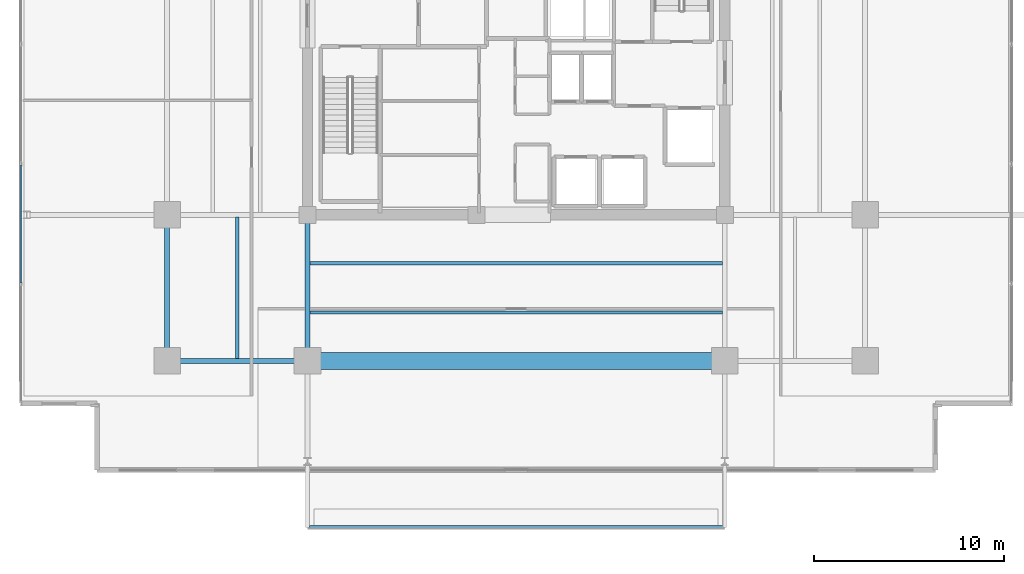
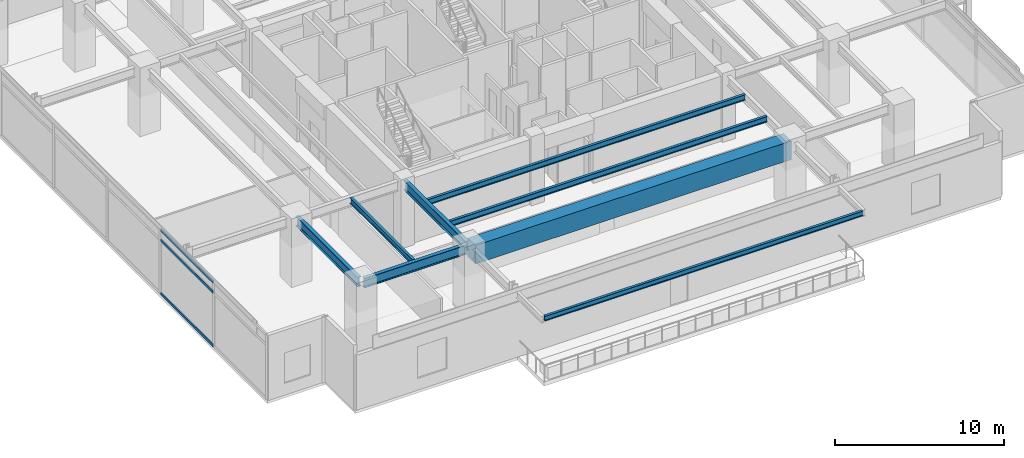
# One storey, part 3 of 25: 8 beams, 3 members, 1 element without a shape of its own.
"""IFC4 building model written with IfcOpenShell, lengths in metres."""

from ifc_helpers import new_model, si_unit, direction, frame, origin, origin_2d, place, context, subcontext, project, spatial, rectangle, hollow_rectangle, i_section, extrude, material, material_profile, profile_set, type_object, element, aggregate, save


model = new_model("IFC4")

# Units and contexts
model_context = context("Model", 3, precision=1e-05, world=origin(), true_north=direction((0.0, 1.0)))
body_context = subcontext(model_context, "Body", "Model", "MODEL_VIEW")
ifc_project = project(units=[si_unit("LENGTHUNIT", "METRE"), si_unit("AREAUNIT", "SQUARE_METRE"), si_unit("VOLUMEUNIT", "CUBIC_METRE"), si_unit("PLANEANGLEUNIT", "RADIAN"), si_unit("MASSUNIT", "GRAM", prefix="KILO")], contexts=[model_context])

# Site, building, storey
site_placement = place(None, origin())
site = spatial("IfcSite", under=ifc_project, at=site_placement, CompositionType="ELEMENT")
building_placement = place(site_placement, origin())
building = spatial("IfcBuilding", under=site, at=building_placement, Name="Kovane Verandah Tower", CompositionType="ELEMENT")
storey_placement = place(building_placement, frame((0.0, 0.0, 233.199951171875)))
storey = spatial("IfcBuildingStorey", under=building, at=storey_placement, Name="L54", CompositionType="ELEMENT", Elevation=233.199951171875)

# Beams
ifc_material_1 = material(Name="Concrete C80/95", Category="concrete")
ifc_material_profile_1 = material_profile(ifc_material_1, rectangle(XDim=0.89990234375, YDim=1.35009765625, at=origin_2d()), Name="RCB900x1350")
ifc_profile_set_1 = profile_set([ifc_material_profile_1], Name="Concrete C80/95")
beam_type_1 = type_object("IfcBeamType", Name="BM-TR-900x1350", PredefinedType="BEAM", material=ifc_profile_set_1)
beam_1_placement = place(storey_placement, frame((29.179931640625, 10.800048828125, 4.025146484375), z_axis=(1.0, 0.0, 0.0), x_axis=(0.0, 1.0, 0.0)))
element("IfcBeam", 1, at=beam_1_placement, inside=storey, type_object=beam_type_1, Name="L54 Primary Tower Girder G-RS2", PredefinedType="BEAM", context=body_context, shape_type="SweptSolid", body=[
    extrude(rectangle(XDim=0.89990234375, YDim=1.35009765625, at=origin_2d()), origin(), (0.0, 0.0, 1.0), 21.64013671875),
])
ifc_material_2 = material(Name="Steel S355", Category="steel")
ifc_material_profile_2 = material_profile(ifc_material_2, i_section(OverallWidth=0.255859375, OverallDepth=0.69287109375, WebThickness=0.014404296875, FlangeThickness=0.023681640625, FilletRadius=0.01513671875, at=origin_2d()), Name="UB686x254x170")
ifc_profile_set_2 = profile_set([ifc_material_profile_2], Name="Steel S355")
beam_type_2 = type_object("IfcBeamType", Name="BM-UB686x170", PredefinedType="BEAM", material=ifc_profile_set_2)
beam_2_placement = place(storey_placement, frame((21.780029296875, 10.800048828125, 4.353759765625), z_axis=(1.0, 0.0, 0.0), x_axis=(0.0, 1.0, 0.0)))
element("IfcBeam", 2, at=beam_2_placement, inside=storey, type_object=beam_type_2, Name="L54 Primary Tower Girder G-RS1", PredefinedType="BEAM", context=body_context, shape_type="SweptSolid", body=[
    extrude(i_section(OverallWidth=0.255859375, OverallDepth=0.69287109375, WebThickness=0.014404296875, FlangeThickness=0.023681640625, FilletRadius=0.01513671875, at=origin_2d()), origin(), (0.0, 0.0, 1.0), 7.0400390625),
])
for number, where, z_axis, x_axis, name in (
    (3, (21.60009765625, 10.97998046875, 4.353759765625), (0.0, 1.0, 0.0), (-1.0, 0.0, 0.0), "L54 Primary Tower Girder G-RW1"),
    (4, (29.0, 18.320068359375, 4.353759765625), (0.0, -1.0, 0.0), (1.0, 0.0, 0.0), "L54 Primary Tower Girder G-S1"),
):
    element("IfcBeam", number, at=place(storey_placement, frame(where, z_axis=z_axis, x_axis=x_axis)), inside=storey, type_object=beam_type_2, Name=name, PredefinedType="BEAM", context=body_context, shape_type="SweptSolid", body=[
        extrude(i_section(OverallWidth=0.255859375, OverallDepth=0.69287109375, WebThickness=0.014404296875, FlangeThickness=0.023681640625, FilletRadius=0.01513671875, at=origin_2d()), origin(), (0.0, 0.0, 1.0), 7.340087890625),
    ])

# Curtain wall, members
ifc_material_3 = material(Name="Champagne Anodised Aluminium Frame with Low-E Clear Laminated Glass", Category="aluminium")
curtain_wall_type = type_object("IfcCurtainWallType", Name="CW-SYS-03-MID", PredefinedType="NOTDEFINED", material=ifc_material_3)
curtain_wall_placement = place(storey_placement, origin())
curtain_wall = element("IfcCurtainWall", 5, at=curtain_wall_placement, inside=storey, type_object=curtain_wall_type, Name="L54 W Unitised Curtain Wall", PredefinedType="NOTDEFINED")
ifc_material_4 = material(Name="Champagne Anodised Aluminium 6063-T6", Category="aluminium")
ifc_material_profile_3 = material_profile(ifc_material_4, hollow_rectangle(XDim=0.0849609375, YDim=0.18994140625, WallThickness=0.00390625, at=origin_2d()), Name="AL85x190x4")
ifc_profile_set_3 = profile_set([ifc_material_profile_3], Name="Champagne Anodised Aluminium 6063-T6")
member_type = type_object("IfcMemberType", Name="CW-TRN-85x190", PredefinedType="USERDEFINED", material=ifc_profile_set_3)
member_1_placement = place(storey_placement, frame((13.892822265625, 21.133544921875, 0.050048828125), z_axis=(0.0, -1.0, 0.0), x_axis=(1.0, 0.0, 0.0)))
member_1 = element("IfcMember", 6, at=member_1_placement, type_object=member_type, Name="L54 W Unitised Curtain Wall Transom TB Bay 5", ObjectType="TRANSOM", PredefinedType="USERDEFINED", context=body_context, shape_type="SweptSolid", body=[
    extrude(hollow_rectangle(XDim=0.0849609375, YDim=0.18994140625, WallThickness=0.00390625, at=origin_2d()), origin(), (0.0, 0.0, 1.0), 6.216552734375),
])
member_2_placement = place(storey_placement, frame((13.892822265625, 21.133544921875, 3.920166015625), z_axis=(0.0, -1.0, 0.0), x_axis=(1.0, 0.0, 0.0)))
member_2 = element("IfcMember", 7, at=member_2_placement, type_object=member_type, Name="L54 W Unitised Curtain Wall Transom TM Bay 5", ObjectType="TRANSOM", PredefinedType="USERDEFINED", context=body_context, shape_type="SweptSolid", body=[
    extrude(hollow_rectangle(XDim=0.0849609375, YDim=0.18994140625, WallThickness=0.00390625, at=origin_2d()), origin(), (0.0, 0.0, 1.0), 6.216552734375),
])
member_3_placement = place(storey_placement, frame((13.892822265625, 21.133544921875, 4.650146484375), z_axis=(0.0, -1.0, 0.0), x_axis=(1.0, 0.0, 0.0)))
member_3 = element("IfcMember", 8, at=member_3_placement, type_object=member_type, Name="L54 W Unitised Curtain Wall Transom TT Bay 5", ObjectType="TRANSOM", PredefinedType="USERDEFINED", context=body_context, shape_type="SweptSolid", body=[
    extrude(hollow_rectangle(XDim=0.0849609375, YDim=0.18994140625, WallThickness=0.00390625, at=origin_2d()), origin(), (0.0, 0.0, 1.0), 6.216552734375),
])
aggregate(curtain_wall, [member_1, member_2, member_3])

# Beams
ifc_material_profile_4 = material_profile(ifc_material_2, i_section(OverallWidth=0.179443359375, OverallDepth=0.412841796875, WebThickness=0.009521484375, FlangeThickness=0.01611328125, FilletRadius=0.01025390625, at=origin_2d()), Name="UB406x178x74")
ifc_profile_set_4 = profile_set([ifc_material_profile_4], Name="Steel S355")
beam_type_3 = type_object("IfcBeamType", Name="JST-UB406x74", PredefinedType="JOIST", material=ifc_profile_set_4)
for number, where, z_axis, x_axis, name in (
    (9, (29.1259765625, 13.35009765625, 4.49365234375), (1.0, 0.0, 0.0), (0.0, 1.0, 0.0), "L54 Secondary Composite Joist J-S1"),
    (10, (29.1259765625, 15.949951171875, 4.49365234375), (1.0, 0.0, 0.0), (0.0, 1.0, 0.0), "L54 Secondary Composite Joist J-S2"),
):
    element("IfcBeam", number, at=place(storey_placement, frame(where, z_axis=z_axis, x_axis=x_axis)), inside=storey, type_object=beam_type_3, Name=name, PredefinedType="JOIST", context=body_context, shape_type="SweptSolid", body=[
        extrude(i_section(OverallWidth=0.179443359375, OverallDepth=0.412841796875, WebThickness=0.009521484375, FlangeThickness=0.01611328125, FilletRadius=0.01025390625, at=origin_2d()), origin(), (0.0, 0.0, 1.0), 21.748046875),
    ])
beam_3_placement = place(storey_placement, frame((25.300048828125, 10.92578125, 4.49365234375), z_axis=(0.0, 1.0, 0.0), x_axis=(-1.0, 0.0, 0.0)))
element("IfcBeam", 11, at=beam_3_placement, inside=storey, type_object=beam_type_3, Name="L54 Secondary Composite Joist J-SW1", PredefinedType="JOIST", context=body_context, shape_type="SweptSolid", body=[
    extrude(i_section(OverallWidth=0.179443359375, OverallDepth=0.412841796875, WebThickness=0.009521484375, FlangeThickness=0.01611328125, FilletRadius=0.01025390625, at=origin_2d()), origin(), (0.0, 0.0, 1.0), 7.4482421875),
])
ifc_material_profile_5 = material_profile(ifc_material_2, i_section(OverallWidth=0.173095703125, OverallDepth=0.36328125, WebThickness=0.009033203125, FlangeThickness=0.015625, FilletRadius=0.01025390625, at=origin_2d()), Name="UB356x171x67")
ifc_profile_set_5 = profile_set([ifc_material_profile_5], Name="Steel S355")
beam_type_4 = type_object("IfcBeamType", Name="SPD-UB356x67", PredefinedType="USERDEFINED", material=ifc_profile_set_5)
beam_4_placement = place(storey_placement, frame((29.094482421875, 2.026611328125, 4.518310546875), z_axis=(1.0, 0.0, 0.0), x_axis=(0.0, 1.0, 0.0)))
element("IfcBeam", 12, at=beam_4_placement, inside=storey, type_object=beam_type_4, Name="L54 South Planter Edge Spandrel", ObjectType="SPANDREL", PredefinedType="USERDEFINED", context=body_context, shape_type="SweptSolid", body=[
    extrude(i_section(OverallWidth=0.173095703125, OverallDepth=0.36328125, WebThickness=0.009033203125, FlangeThickness=0.015625, FilletRadius=0.01025390625, at=origin_2d()), origin(), (0.0, 0.0, 1.0), 21.81103515625),
])

save(model, "model.ifc")
